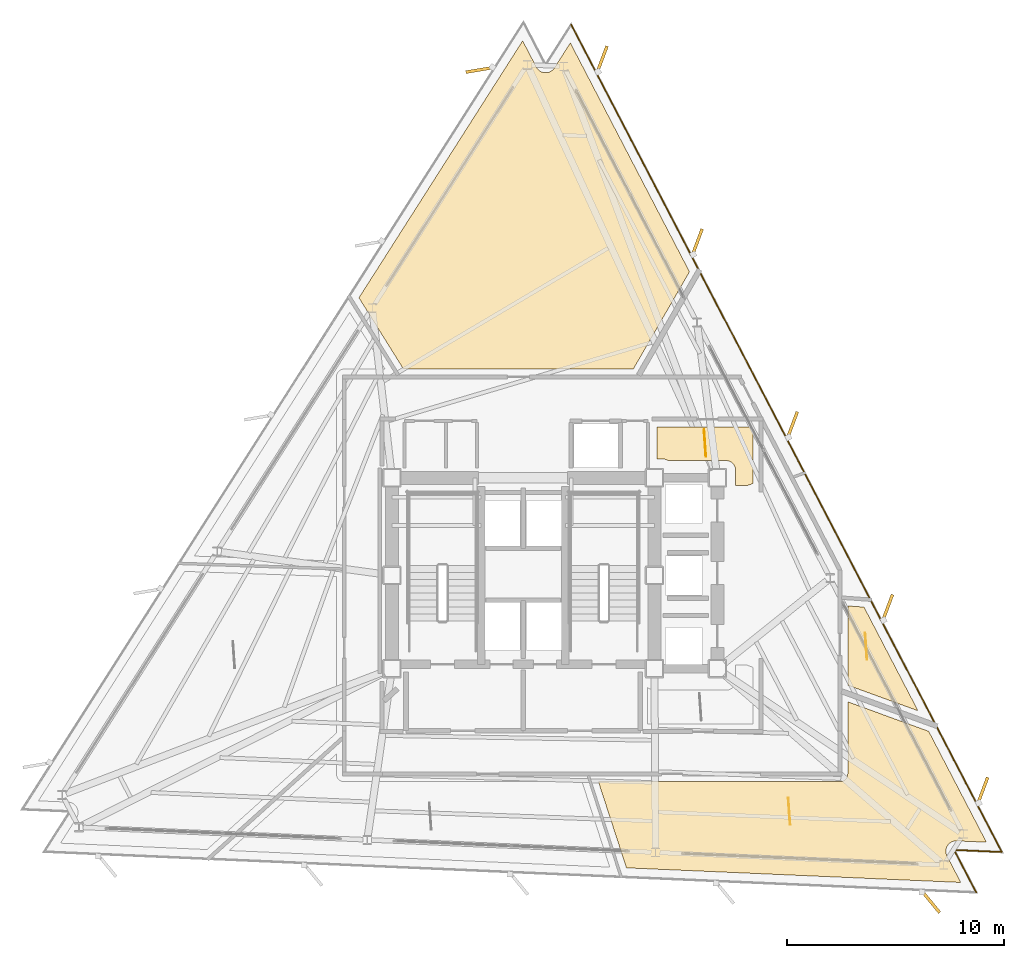
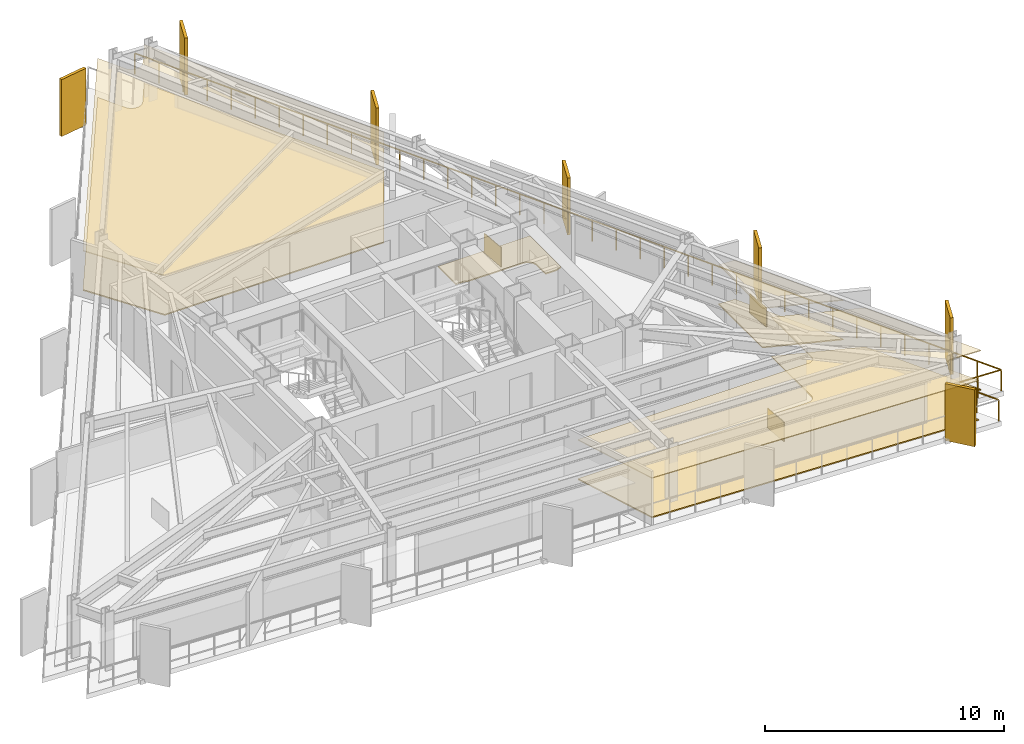
# One storey, part 12 of 12: 10 coverings, 7 shading devices, 1 railing.
"""IFC4 building model written with IfcOpenShell, lengths in metres."""

import ifcopenshell
import ifcopenshell.guid

model = None  # the IFC model being written
_history = None  # IfcOwnerHistory: only IFC2X3 demands one
_inside = {}  # id of a spatial element -> (the spatial element, [elements in it])
_under = {}  # id of a project, library or spatial element -> (it, [spatial elements below it])
_declared = {}  # id of a project -> (the project, [libraries it declares])
_typed = {}  # id of a type object -> (the type object, [elements of that type])
_made_of = {}  # id of a material, layer set ... -> (it, [elements and type objects made of it])


def new_model(schema):
    """Start an empty IFC model of exactly this schema.

    Asked for "IFC4X3", IfcOpenShell would pick the latest addendum, in which some entities
    have other attributes; the version numbers below select the first issue.
    IFC2X3 requires an IfcOwnerHistory on every rooted entity: one is made here for all.
    """
    global model, _history
    if schema == "IFC4X3":
        model = ifcopenshell.file(schema_version=(4, 3, 0, 0))
    else:
        model = ifcopenshell.file(schema=schema)
    _inside.clear()
    _under.clear()
    _declared.clear()
    _typed.clear()
    _made_of.clear()
    _history = None
    if model.schema == "IFC2X3":
        org = make("IfcOrganization", Name="unknown")
        user = make(
            "IfcPersonAndOrganization",
            ThePerson=make("IfcPerson", FamilyName="unknown"),
            TheOrganization=org,
        )
        app = make(
            "IfcApplication",
            ApplicationDeveloper=org,
            Version="unknown",
            ApplicationFullName="unknown",
            ApplicationIdentifier="unknown",
        )
        _history = make(
            "IfcOwnerHistory",
            OwningUser=user,
            OwningApplication=app,
            ChangeAction="ADDED",
            CreationDate=0,
        )
    return model


def make(cls, **values):
    """One entity of the class cls with the attributes given. An attribute that is None is left unset."""
    return model.create_entity(
        cls, **{name: value for name, value in values.items() if value is not None}
    )


def rooted(cls, **values):
    """An entity with a GlobalId (a new one), such as an element, a storey or a relation."""
    return make(cls, GlobalId=ifcopenshell.guid.new(), OwnerHistory=_history, **values)


def si_unit(unit_type, name, prefix=None):
    """IfcSIUnit, for example si_unit("LENGTHUNIT", "METRE", prefix="MILLI")."""
    return make("IfcSIUnit", UnitType=unit_type, Prefix=prefix, Name=name)


def assignment(units):
    """IfcUnitAssignment: the units of a project."""
    return None if units is None else make("IfcUnitAssignment", Units=units)


def point(xyz):
    """IfcCartesianPoint."""
    return None if xyz is None else make("IfcCartesianPoint", Coordinates=xyz)


def direction(xyz):
    """IfcDirection."""
    return None if xyz is None else make("IfcDirection", DirectionRatios=xyz)


def frame(location, z_axis=None, x_axis=None):
    """IfcAxis2Placement3D, a coordinate frame: its origin and axes. An axis left out is left unset."""
    return make(
        "IfcAxis2Placement3D",
        Location=point(location),
        Axis=direction(z_axis),
        RefDirection=direction(x_axis),
    )


def frame_2d(location, x_axis=None):
    """IfcAxis2Placement2D, a coordinate frame in the plane: its origin and x axis."""
    return make(
        "IfcAxis2Placement2D", Location=point(location), RefDirection=direction(x_axis)
    )


def origin():
    """The frame at (0, 0, 0) with its axes left unset."""
    return frame((0.0, 0.0, 0.0))


def origin_2d():
    """The frame at (0, 0) in the plane with its x axis left unset."""
    return frame_2d((0.0, 0.0))


def place(relative_to, where):
    """IfcLocalPlacement: puts the frame where relative to a parent placement (None: the world)."""
    return make(
        "IfcLocalPlacement", PlacementRelTo=relative_to, RelativePlacement=where
    )


def context(
    kind, dimensions, precision=None, world=None, true_north=None, identifier=None
):
    """IfcGeometricRepresentationContext, for example the 3D "Model" context."""
    return make(
        "IfcGeometricRepresentationContext",
        ContextIdentifier=identifier,
        ContextType=kind,
        CoordinateSpaceDimension=dimensions,
        Precision=precision,
        WorldCoordinateSystem=world,
        TrueNorth=true_north,
    )


def subcontext(parent, identifier, kind, view, scale=None):
    """IfcGeometricRepresentationSubContext, for example "Body" below "Model"."""
    return make(
        "IfcGeometricRepresentationSubContext",
        ContextIdentifier=identifier,
        ContextType=kind,
        ParentContext=parent,
        TargetScale=scale,
        TargetView=view,
    )


def project(units=None, contexts=None):
    """IfcProject with its units and contexts."""
    return rooted(
        "IfcProject",
        Name="project",
        RepresentationContexts=contexts,
        UnitsInContext=assignment(units),
    )


def spatial(cls, under=None, at=None, **own):
    """A site, building, storey or space (cls), placed at a placement, below another one or the project."""
    s = rooted(cls, ObjectPlacement=at, **own)
    if under is not None:
        _under.setdefault(under.id(), (under, []))[1].append(s)
    return s


def polyline(points):
    """IfcPolyline through the points."""
    return make("IfcPolyline", Points=[point(p) for p in points])


def profile(cls, at=None, kind="AREA", **sizes):
    """A parametric profile (cls). Its sizes go by their IFC names, for example OverallWidth=200.0."""
    return make(cls, ProfileType=kind, Position=at, **sizes)


def rectangle(**sizes):
    """IfcRectangleProfileDef."""
    return profile("IfcRectangleProfileDef", **sizes)


def outline(outer, holes=None, kind="AREA"):
    """IfcArbitraryClosedProfileDef: a profile drawn as a closed curve; with holes, ...WithVoids."""
    if holes is None:
        return make("IfcArbitraryClosedProfileDef", ProfileType=kind, OuterCurve=outer)
    return make(
        "IfcArbitraryProfileDefWithVoids",
        ProfileType=kind,
        OuterCurve=outer,
        InnerCurves=holes,
    )


def extrude(swept, where, along, depth):
    """IfcExtrudedAreaSolid: the profile swept, set in the frame where, extruded along a direction by depth."""
    return make(
        "IfcExtrudedAreaSolid",
        SweptArea=swept,
        Position=where,
        ExtrudedDirection=direction(along),
        Depth=depth,
    )


def shape(context_of_items, identifier, shape_type, items):
    """IfcShapeRepresentation: the items that make up one representation, for example the "Body"."""
    return make(
        "IfcShapeRepresentation",
        ContextOfItems=context_of_items,
        RepresentationIdentifier=identifier,
        RepresentationType=shape_type,
        Items=items,
    )


def material(Name=None, Category=None):
    """IfcMaterial."""
    return make("IfcMaterial", Name=Name, Category=Category)


def layer(
    of_material, thickness, ventilated=None, Name=None, Category=None, Priority=None
):
    """IfcMaterialLayer: one layer of a wall or slab, of a material (None: an air gap)."""
    return make(
        "IfcMaterialLayer",
        Material=of_material,
        LayerThickness=thickness,
        IsVentilated=ventilated,
        Name=Name,
        Category=Category,
        Priority=Priority,
    )


def layer_set(layers, Name=None):
    """IfcMaterialLayerSet."""
    return make("IfcMaterialLayerSet", MaterialLayers=layers, LayerSetName=Name)


def made_of(thing, what):
    """Note that an element or type object is made of a material, layer set ...; save() writes the relation."""
    if what is not None:
        _made_of.setdefault(what.id(), (what, []))[1].append(thing)
    return thing


def type_object(cls, material=None, **own):
    """A type object (cls), such as IfcWallType, which elements share."""
    return made_of(rooted(cls, **own), material)


def element(
    cls,
    number,
    at=None,
    inside=None,
    cuts=None,
    type_object=None,
    material=None,
    context=None,
    identifier="Body",
    shape_type=None,
    held_by="IfcProductDefinitionShape",
    body=None,
    shapes=None,
    **own,
):
    """One element of the class cls, such as IfcWall. Its Tag is "e" and its number.

    at: its placement. inside: the storey or other place that contains it. cuts: it is an
    opening in that element (IfcRelVoidsElement). A single representation is given by context,
    identifier, shape_type and body (its items); several are given by shapes. held_by: the class
    of the entity that holds the representations. save() writes the other relations.
    """
    e = rooted(cls, Tag="e%d" % number, ObjectPlacement=at, **own)
    if body is not None:
        shapes = [shape(context, identifier, shape_type, body)]
    if shapes is not None:
        e.Representation = make(held_by, Representations=shapes)
    if inside is not None:
        _inside.setdefault(inside.id(), (inside, []))[1].append(e)
    if cuts is not None:
        rooted(
            "IfcRelVoidsElement", RelatingBuildingElement=cuts, RelatedOpeningElement=e
        )
    if type_object is not None:
        _typed.setdefault(type_object.id(), (type_object, []))[1].append(e)
    return made_of(e, material)


def aggregate(whole, parts):
    """IfcRelAggregates: a whole, such as a stair, and the parts it consists of."""
    return rooted("IfcRelAggregates", RelatingObject=whole, RelatedObjects=parts)


def save(model, path):
    """Write the relations noted so far, then the file.

    IfcRelAggregates (storeys below a building ...), IfcRelContainedInSpatialStructure (elements
    in a storey), IfcRelDefinesByType, IfcRelAssociatesMaterial and IfcRelDeclares: one each for
    every whole, place, type object, material and project.
    """
    for whole, parts in _under.values():
        aggregate(whole, parts)
    for where, things in _inside.values():
        rooted(
            "IfcRelContainedInSpatialStructure",
            RelatedElements=things,
            RelatingStructure=where,
        )
    for kind, things in _typed.values():
        rooted("IfcRelDefinesByType", RelatedObjects=things, RelatingType=kind)
    for what, things in _made_of.values():
        rooted("IfcRelAssociatesMaterial", RelatedObjects=things, RelatingMaterial=what)
    for by, libraries in _declared.values():
        rooted("IfcRelDeclares", RelatingContext=by, RelatedDefinitions=libraries)
    model.write(path)


model = new_model("IFC4")

# Units and contexts
model_context = context("Model", 3, precision=1e-05, world=origin(), true_north=direction((0.0, 1.0)))
body_context = subcontext(model_context, "Body", "Model", "MODEL_VIEW")
ifc_project = project(units=[si_unit("LENGTHUNIT", "METRE"), si_unit("AREAUNIT", "SQUARE_METRE"), si_unit("VOLUMEUNIT", "CUBIC_METRE"), si_unit("PLANEANGLEUNIT", "RADIAN"), si_unit("MASSUNIT", "GRAM", prefix="KILO")], contexts=[model_context])

# Site, building, storey
site_placement = place(None, origin())
site = spatial("IfcSite", under=ifc_project, at=site_placement, CompositionType="ELEMENT")
building_placement = place(site_placement, origin())
building = spatial("IfcBuilding", under=site, at=building_placement, Name="Rocaltana Carrier Exchange", CompositionType="ELEMENT")
storey_placement = place(building_placement, frame((0.0, 0.0, 135.0400390625)))
storey = spatial("IfcBuildingStorey", under=building, at=storey_placement, Name="L42", CompositionType="ELEMENT", Elevation=135.0400390625)

# Coverings
ifc_material_1 = material(Name="Calcium Sulphate & Aluminium Pedestal", Category="aluminium")
ifc_layer_1 = layer(ifc_material_1, 0.06005859375)
ifc_layer_set_1 = layer_set([ifc_layer_1], Name="Calcium Sulphate & Aluminium Pedestal")
covering_type_1 = type_object("IfcCoveringType", Name="Anti-Static Raised Exchange Access Floor 60", PredefinedType="FLOORING", material=ifc_layer_set_1)
covering_1_placement = place(storey_placement, origin())
element("IfcCovering", 1, at=covering_1_placement, inside=storey, type_object=covering_type_1, Name="L42 Network Engineering Studio Finish Floor", PredefinedType="FLOORING", context=body_context, shape_type="SweptSolid", body=[
    extrude(outline(polyline([(21.352294921875, -12.298828125), (19.985107421875, -12.239013671875), (19.97119140625, -12.23876953125), (19.951171875, -12.239013671875), (19.92333984375, -12.240478515625), (19.903564453125, -12.24267578125), (19.8759765625, -12.246826171875), (19.8564453125, -12.2509765625), (19.829345703125, -12.258056640625), (19.810302734375, -12.263916015625), (19.7841796875, -12.273681640625), (19.765869140625, -12.281494140625), (19.740966796875, -12.2939453125), (19.723388671875, -12.303466796875), (19.69970703125, -12.318115234375), (19.683349609375, -12.32958984375), (19.6611328125, -12.3466796875), (19.64599609375, -12.359619140625), (19.62548828125, -12.378662109375), (19.61181640625, -12.392822265625), (19.593505859375, -12.4140625), (19.5810546875, -12.4296875), (19.56494140625, -12.452392578125), (19.55419921875, -12.46923828125), (19.540283203125, -12.493408203125), (19.531494140625, -12.51123046875), (19.52001953125, -12.536865234375), (19.512939453125, -12.555419921875), (19.504150390625, -12.581787109375), (19.498779296875, -12.601318359375), (19.492919921875, -12.62841796875), (19.489501953125, -12.648193359375), (19.486328125, -12.67578125), (19.48486328125, -12.69580078125), (19.484375, -12.7236328125), (19.485107421875, -12.743408203125), (19.4873046875, -12.771240234375), (19.489990234375, -12.791015625), (19.494873046875, -12.818603515625), (19.49951171875, -12.837890625), (19.507080078125, -12.86474609375), (19.513671875, -12.8837890625), (19.52392578125, -12.90966796875), (19.5322265625, -12.927734375), (19.538330078125, -12.940185546875), (20.17041015625, -14.154296875), (4.7587890625, -13.481201171875), (3.468505859375, -9.510009765625), (14.60009765625, -9.510009765625), (14.61376953125, -9.509765625), (14.62158203125, -9.50927734375), (14.64892578125, -9.506591796875), (14.65673828125, -9.50537109375), (14.68359375, -9.5), (14.69140625, -9.498291015625), (14.717529296875, -9.490234375), (14.724853515625, -9.487548828125), (14.750244140625, -9.47705078125), (14.75732421875, -9.4736328125), (14.78173828125, -9.460693359375), (14.788330078125, -9.456787109375), (14.811279296875, -9.44140625), (14.8173828125, -9.436767578125), (14.8388671875, -9.419189453125), (14.844482421875, -9.4140625), (14.864013671875, -9.39453125), (14.869384765625, -9.388916015625), (14.88671875, -9.367431640625), (14.891357421875, -9.361083984375), (14.90673828125, -9.33837890625), (14.91064453125, -9.331787109375), (14.923583984375, -9.307373046875), (14.927001953125, -9.30029296875), (14.9375, -9.27490234375), (14.940185546875, -9.267578125), (14.9482421875, -9.2412109375), (14.9501953125, -9.233642578125), (14.955322265625, -9.206787109375), (14.95654296875, -9.198974609375), (14.959228515625, -9.171630859375), (14.959716796875, -9.163818359375), (14.9599609375, -9.14990234375), (14.9599609375, -5.828125), (18.69091796875, -7.18603515625), (21.352294921875, -12.298828125)])), origin(), (0.0, 0.0, 1.0), 0.06005859375),
])
covering_2_placement = place(storey_placement, origin())
element("IfcCovering", 2, at=covering_2_placement, inside=storey, type_object=covering_type_1, Name="L42 Protocol Calibration Laboratory Finish Floor", PredefinedType="FLOORING", context=body_context, shape_type="SweptSolid", body=[
    extrude(outline(polyline([(18.19873046875, -6.24072265625), (14.9599609375, -5.06201171875), (14.9599609375, -1.406982421875), (15.709716796875, -1.45947265625), (18.19873046875, -6.24072265625)])), origin(), (0.0, 0.0, 1.0), 0.06005859375),
])
covering_3_placement = place(storey_placement, origin())
element("IfcCovering", 3, at=covering_3_placement, inside=storey, type_object=covering_type_1, Name="L42 Network Engineering Studio Finish Floor", PredefinedType="FLOORING", context=body_context, shape_type="SweptSolid", body=[
    extrude(outline(polyline([(6.159912109375, 6.840087890625), (10.60009765625, 6.840087890625), (10.60009765625, 4.2412109375), (10.322021484375, 4.139892578125), (9.7900390625, 4.139892578125), (9.7900390625, 4.85009765625), (9.789794921875, 4.86376953125), (9.788818359375, 4.87939453125), (9.7861328125, 4.90673828125), (9.783935546875, 4.92236328125), (9.778564453125, 4.94921875), (9.774658203125, 4.964599609375), (9.7666015625, 4.99072265625), (9.761474609375, 5.005615234375), (9.7509765625, 5.031005859375), (9.744140625, 5.045166015625), (9.731201171875, 5.0693359375), (9.72314453125, 5.082763671875), (9.7080078125, 5.105712890625), (9.698486328125, 5.118408203125), (9.68115234375, 5.139404296875), (9.670654296875, 5.151123046875), (9.651123046875, 5.170654296875), (9.639404296875, 5.18115234375), (9.618408203125, 5.198486328125), (9.605712890625, 5.2080078125), (9.582763671875, 5.22314453125), (9.5693359375, 5.231201171875), (9.545166015625, 5.244140625), (9.531005859375, 5.2509765625), (9.505615234375, 5.261474609375), (9.49072265625, 5.2666015625), (9.464599609375, 5.274658203125), (9.44921875, 5.278564453125), (9.42236328125, 5.283935546875), (9.40673828125, 5.2861328125), (9.37939453125, 5.288818359375), (9.36376953125, 5.289794921875), (9.35009765625, 5.2900390625), (6.6875, 5.2900390625), (6.682861328125, 5.293212890625), (6.66943359375, 5.30126953125), (6.64501953125, 5.314208984375), (6.630859375, 5.32080078125), (6.605712890625, 5.33154296875), (6.5908203125, 5.336669921875), (6.564453125, 5.3447265625), (6.54931640625, 5.348388671875), (6.522216796875, 5.35400390625), (6.5068359375, 5.356201171875), (6.4794921875, 5.35888671875), (6.463623046875, 5.359619140625), (6.449951171875, 5.360107421875), (6.159912109375, 5.360107421875), (6.159912109375, 6.840087890625)])), origin(), (0.0, 0.0, 1.0), 0.06005859375),
])
covering_4_placement = place(storey_placement, origin())
element("IfcCovering", 4, at=covering_4_placement, inside=storey, type_object=covering_type_1, Name="L42 Photonic Integration Workshop Finish Floor", PredefinedType="FLOORING", context=body_context, shape_type="SweptSolid", body=[
    extrude(outline(polyline([(-0.025146484375, 24.64111328125), (0.606689453125, 23.42724609375), (0.613525390625, 23.4150390625), (0.62353515625, 23.397705078125), (0.638916015625, 23.37451171875), (0.650634765625, 23.3583984375), (0.668212890625, 23.336669921875), (0.681396484375, 23.32177734375), (0.700927734375, 23.3017578125), (0.7158203125, 23.288330078125), (0.7373046875, 23.2705078125), (0.753173828125, 23.258544921875), (0.7763671875, 23.242919921875), (0.79345703125, 23.232666015625), (0.818115234375, 23.219482421875), (0.8359375, 23.2109375), (0.86181640625, 23.2001953125), (0.880615234375, 23.193603515625), (0.9072265625, 23.185546875), (0.9267578125, 23.180908203125), (0.9541015625, 23.17529296875), (0.973876953125, 23.172607421875), (1.001708984375, 23.169921875), (1.021484375, 23.169189453125), (1.04931640625, 23.169189453125), (1.0693359375, 23.17041015625), (1.09716796875, 23.17333984375), (1.11669921875, 23.176513671875), (1.14404296875, 23.18212890625), (1.163330078125, 23.18701171875), (1.18994140625, 23.195556640625), (1.208740234375, 23.202392578125), (1.234375, 23.21337890625), (1.252197265625, 23.22216796875), (1.276611328125, 23.235595703125), (1.293701171875, 23.24609375), (1.316650390625, 23.26220703125), (1.33251953125, 23.2744140625), (1.353759765625, 23.292236328125), (1.368408203125, 23.305908203125), (1.3876953125, 23.326171875), (1.400634765625, 23.341064453125), (1.41796875, 23.363037109375), (1.429443359375, 23.37939453125), (1.437255859375, 23.390869140625), (2.172607421875, 24.545166015625), (7.66455078125, 13.995361328125), (5.074951171875, 9.510009765625), (-5.51806640625, 9.510009765625), (-7.5712890625, 12.796142578125), (-0.025146484375, 24.64111328125)])), origin(), (0.0, 0.0, 1.0), 0.06005859375),
])
ifc_material_2 = material(Name="Mineral Fibre & Powder-Coated Aluminium", Category="aluminium")
ifc_layer_2 = layer(ifc_material_2, 0.044921875)
ifc_layer_set_2 = layer_set([ifc_layer_2], Name="Mineral Fibre & Powder-Coated Aluminium")
covering_type_2 = type_object("IfcCoveringType", Name="Micro-Perforated Acoustic Ceiling 45", PredefinedType="CEILING", material=ifc_layer_set_2)
covering_5_placement = place(storey_placement, frame((0.0, 0.0, 2.012939453125)))
element("IfcCovering", 5, at=covering_5_placement, inside=storey, type_object=covering_type_2, Name="L42 Network Engineering Studio Acoustic Ceiling", PredefinedType="CEILING", context=body_context, shape_type="SweptSolid", body=[
    extrude(outline(polyline([(21.352294921875, -12.298828125), (19.985107421875, -12.239013671875), (19.97119140625, -12.23876953125), (19.951171875, -12.239013671875), (19.92333984375, -12.240478515625), (19.903564453125, -12.24267578125), (19.8759765625, -12.246826171875), (19.8564453125, -12.2509765625), (19.829345703125, -12.258056640625), (19.810302734375, -12.263916015625), (19.7841796875, -12.273681640625), (19.765869140625, -12.281494140625), (19.740966796875, -12.2939453125), (19.723388671875, -12.303466796875), (19.69970703125, -12.318115234375), (19.683349609375, -12.32958984375), (19.6611328125, -12.3466796875), (19.64599609375, -12.359619140625), (19.62548828125, -12.378662109375), (19.61181640625, -12.392822265625), (19.593505859375, -12.4140625), (19.5810546875, -12.4296875), (19.56494140625, -12.452392578125), (19.55419921875, -12.46923828125), (19.540283203125, -12.493408203125), (19.531494140625, -12.51123046875), (19.52001953125, -12.536865234375), (19.512939453125, -12.555419921875), (19.504150390625, -12.581787109375), (19.498779296875, -12.601318359375), (19.492919921875, -12.62841796875), (19.489501953125, -12.648193359375), (19.486328125, -12.67578125), (19.48486328125, -12.69580078125), (19.484375, -12.7236328125), (19.485107421875, -12.743408203125), (19.4873046875, -12.771240234375), (19.489990234375, -12.791015625), (19.494873046875, -12.818603515625), (19.49951171875, -12.837890625), (19.507080078125, -12.86474609375), (19.513671875, -12.8837890625), (19.52392578125, -12.90966796875), (19.5322265625, -12.927734375), (19.538330078125, -12.940185546875), (20.17041015625, -14.154296875), (4.7587890625, -13.481201171875), (3.468505859375, -9.510009765625), (14.60009765625, -9.510009765625), (14.61376953125, -9.509765625), (14.62158203125, -9.50927734375), (14.64892578125, -9.506591796875), (14.65673828125, -9.50537109375), (14.68359375, -9.5), (14.69140625, -9.498291015625), (14.717529296875, -9.490234375), (14.724853515625, -9.487548828125), (14.750244140625, -9.47705078125), (14.75732421875, -9.4736328125), (14.78173828125, -9.460693359375), (14.788330078125, -9.456787109375), (14.811279296875, -9.44140625), (14.8173828125, -9.436767578125), (14.8388671875, -9.419189453125), (14.844482421875, -9.4140625), (14.864013671875, -9.39453125), (14.869384765625, -9.388916015625), (14.88671875, -9.367431640625), (14.891357421875, -9.361083984375), (14.90673828125, -9.33837890625), (14.91064453125, -9.331787109375), (14.923583984375, -9.307373046875), (14.927001953125, -9.30029296875), (14.9375, -9.27490234375), (14.940185546875, -9.267578125), (14.9482421875, -9.2412109375), (14.9501953125, -9.233642578125), (14.955322265625, -9.206787109375), (14.95654296875, -9.198974609375), (14.959228515625, -9.171630859375), (14.959716796875, -9.163818359375), (14.9599609375, -9.14990234375), (14.9599609375, -5.828125), (18.69091796875, -7.18603515625), (21.352294921875, -12.298828125)])), origin(), (0.0, 0.0, 1.0), 0.044921875),
])
covering_6_placement = place(storey_placement, frame((0.0, 0.0, 2.012939453125)))
element("IfcCovering", 6, at=covering_6_placement, inside=storey, type_object=covering_type_2, Name="L42 Protocol Calibration Laboratory Acoustic Ceiling", PredefinedType="CEILING", context=body_context, shape_type="SweptSolid", body=[
    extrude(outline(polyline([(18.19873046875, -6.24072265625), (14.9599609375, -5.06201171875), (14.9599609375, -1.406982421875), (15.709716796875, -1.45947265625), (18.19873046875, -6.24072265625)])), origin(), (0.0, 0.0, 1.0), 0.044921875),
])
covering_7_placement = place(storey_placement, frame((0.0, 0.0, 2.012939453125)))
element("IfcCovering", 7, at=covering_7_placement, inside=storey, type_object=covering_type_2, Name="L42 Photonic Integration Workshop Acoustic Ceiling", PredefinedType="CEILING", context=body_context, shape_type="SweptSolid", body=[
    extrude(outline(polyline([(-0.025146484375, 24.64111328125), (0.606689453125, 23.42724609375), (0.613525390625, 23.4150390625), (0.62353515625, 23.397705078125), (0.638916015625, 23.37451171875), (0.650634765625, 23.3583984375), (0.668212890625, 23.336669921875), (0.681396484375, 23.32177734375), (0.700927734375, 23.3017578125), (0.7158203125, 23.288330078125), (0.7373046875, 23.2705078125), (0.753173828125, 23.258544921875), (0.7763671875, 23.242919921875), (0.79345703125, 23.232666015625), (0.818115234375, 23.219482421875), (0.8359375, 23.2109375), (0.86181640625, 23.2001953125), (0.880615234375, 23.193603515625), (0.9072265625, 23.185546875), (0.9267578125, 23.180908203125), (0.9541015625, 23.17529296875), (0.973876953125, 23.172607421875), (1.001708984375, 23.169921875), (1.021484375, 23.169189453125), (1.04931640625, 23.169189453125), (1.0693359375, 23.17041015625), (1.09716796875, 23.17333984375), (1.11669921875, 23.176513671875), (1.14404296875, 23.18212890625), (1.163330078125, 23.18701171875), (1.18994140625, 23.195556640625), (1.208740234375, 23.202392578125), (1.234375, 23.21337890625), (1.252197265625, 23.22216796875), (1.276611328125, 23.235595703125), (1.293701171875, 23.24609375), (1.316650390625, 23.26220703125), (1.33251953125, 23.2744140625), (1.353759765625, 23.292236328125), (1.368408203125, 23.305908203125), (1.3876953125, 23.326171875), (1.400634765625, 23.341064453125), (1.41796875, 23.363037109375), (1.429443359375, 23.37939453125), (1.437255859375, 23.390869140625), (2.172607421875, 24.545166015625), (7.66455078125, 13.995361328125), (5.074951171875, 9.510009765625), (-5.51806640625, 9.510009765625), (-7.5712890625, 12.796142578125), (-0.025146484375, 24.64111328125)])), origin(), (0.0, 0.0, 1.0), 0.044921875),
])
ifc_material_3 = material(Name="Honed Piedra Muneca Sandstone", Category="masonry")
ifc_layer_3 = layer(ifc_material_3, 0.034912109375)
ifc_layer_set_3 = layer_set([ifc_layer_3], Name="Honed Piedra Muneca Sandstone")
covering_type_3 = type_object("IfcCoveringType", Name="Stone Facade Cladding 35", PredefinedType="CLADDING", material=ifc_layer_set_3)
for number, where, z_axis, x_axis, name in (
    (8, (12.261474609375, -10.87451171875, 0.0), (0.0, 0.0, 1.0), (-0.069756473744, 0.99756405026, 0.0), "L42 Stone Facade Cladding Panel 3"),
    (9, (15.8037109375, -3.2607421875, 0.0), (0.0, 0.0, 1.0), (-0.069756473744, 0.99756405026, 0.0), "L42 Stone Facade Cladding Panel 5"),
    (10, (8.3798828125, 6.10009765625, 0.0), (0.0, 0.0, 1.0), (-0.069756473744, 0.99756405026, 0.0), "L42 Stone Facade Cladding Panel 6"),
):
    element("IfcCovering", number, at=place(storey_placement, frame(where, z_axis=z_axis, x_axis=x_axis)), inside=storey, type_object=covering_type_3, Name=name, PredefinedType="CLADDING", context=body_context, shape_type="SweptSolid", body=[
        extrude(rectangle(XDim=1.25, YDim=0.034912109375, at=origin_2d()), origin(), (0.0, 0.0, 1.0), 1.050048828125),
    ])

# Shading devices
ifc_material_4 = material(Name="Honed Bogota Sandstone & Concrete C45/55", Category="masonry")
ifc_layer_4 = layer(ifc_material_4, 0.139892578125)
ifc_layer_set_4 = layer_set([ifc_layer_4], Name="Honed Bogota Sandstone & Concrete C45/55")
shading_device_type = type_object("IfcShadingDeviceType", Name="Vertical Sandstone Shading Fin 1320x140", PredefinedType="USERDEFINED", material=ifc_layer_set_4)
for number, where, z_axis, x_axis, name in (
    (11, (21.1787109375, -9.927490234375, -0.1201171875), (0.0, 0.0, 1.0), (0.350207381259, 0.936672189248, 0.0), "L42 Sandstone Vertical Fin F1-01"),
    (12, (16.7919921875, -1.5009765625, -0.1201171875), (0.0, 0.0, 1.0), (0.350207381259, 0.936672189248, 0.0), "L42 Sandstone Vertical Fin F1-02"),
    (13, (12.405517578125, 6.925537109375, -0.1201171875), (0.0, 0.0, 1.0), (0.350207381259, 0.936672189248, 0.0), "L42 Sandstone Vertical Fin F1-03"),
    (14, (8.018798828125, 15.352294921875, -0.1201171875), (0.0, 0.0, 1.0), (0.350207381259, 0.936672189248, 0.0), "L42 Sandstone Vertical Fin F1-04"),
    (15, (3.63232421875, 23.77880859375, -0.1201171875), (0.0, 0.0, 1.0), (0.350207381259, 0.936672189248, 0.0), "L42 Sandstone Vertical Fin F1-05"),
    (16, (-1.99169921875, 23.30517578125, -0.1201171875), (0.0, 0.0, 1.0), (-0.986285601537, -0.165047605861, 0.0), "L42 Sandstone Vertical Fin F2-01"),
    (17, (18.77685546875, -15.034912109375, -0.1201171875), (0.0, 0.0, 1.0), (0.636078220278, -0.771624583388, 0.0), "L42 Sandstone Vertical Fin F3-05"),
):
    element("IfcShadingDevice", number, at=place(storey_placement, frame(where, z_axis=z_axis, x_axis=x_axis)), inside=storey, type_object=shading_device_type, Name=name, ObjectType="FIN", PredefinedType="USERDEFINED", context=body_context, shape_type="SweptSolid", body=[
        extrude(rectangle(XDim=1.320068359375, YDim=0.139892578125, at=origin_2d()), origin(), (0.0, 0.0, 1.0), 2.907958984375),
    ])

# Railing
ifc_material_5 = material(Name="Powder-Coated Aluminium 6063-T6", Category="aluminium")
ifc_layer_5 = layer(ifc_material_5, 0.06005859375)
ifc_layer_set_5 = layer_set([ifc_layer_5], Name="Powder-Coated Aluminium 6063-T6")
railing_type = type_object("IfcRailingType", Name="Wind-Floor & Terrace Perimeter Guardrail 1100", PredefinedType="GUARDRAIL", material=ifc_layer_set_5)
railing_placement = place(storey_placement, frame((2.20947265625, 25.384521484375, 0.0)))
element("IfcRailing", 18, at=railing_placement, inside=storey, type_object=railing_type, Name="L42 Perimeter Balcony Guardrail 3", PredefinedType="GUARDRAIL", context=body_context, shape_type="SweptSolid", body=[
    extrude(rectangle(XDim=0.048095703125, YDim=0.048095703125, at=origin_2d()), frame((0.0, 0.0, 1.076171875), z_axis=(0.461743909672, -0.887013281682, 0.0), x_axis=(0.887013281682, 0.461743909672, 0.0)), (0.0, 0.0, 1.0), 42.991943359375),
    extrude(rectangle(XDim=0.048095703125, YDim=0.048095703125, at=origin_2d()), frame((19.851318359375, -38.134521484375, 1.076171875), z_axis=(-0.999048394753, 0.043615420922, 0.0), x_axis=(-0.043615420922, -0.999048394753, 0.0)), (0.0, 0.0, 1.0), 2.199951171875),
    extrude(rectangle(XDim=0.048095703125, YDim=0.048095703125, at=origin_2d()), frame((17.653564453125, -38.03857421875, 1.076171875), z_axis=(0.461758004933, -0.887005944107, 0.0), x_axis=(0.887005944107, 0.461758004933, 0.0)), (0.0, 0.0, 1.0), 2.199951171875),
    extrude(rectangle(XDim=0.0419921875, YDim=0.0419921875, at=origin_2d()), origin(), (0.0, 0.0, 1.0), 1.052001953125),
    extrude(rectangle(XDim=0.0419921875, YDim=0.0419921875, at=origin_2d()), frame((0.551513671875, -1.059326171875, 0.0)), (0.0, 0.0, 1.0), 1.052001953125),
    extrude(rectangle(XDim=0.0419921875, YDim=0.0419921875, at=origin_2d()), frame((1.102783203125, -2.11865234375, 0.0)), (0.0, 0.0, 1.0), 1.052001953125),
    extrude(rectangle(XDim=0.0419921875, YDim=0.0419921875, at=origin_2d()), frame((1.654296875, -3.177978515625, 0.0)), (0.0, 0.0, 1.0), 1.052001953125),
    extrude(rectangle(XDim=0.0419921875, YDim=0.0419921875, at=origin_2d()), frame((2.205810546875, -4.237060546875, 0.0)), (0.0, 0.0, 1.0), 1.052001953125),
    extrude(rectangle(XDim=0.0419921875, YDim=0.0419921875, at=origin_2d()), frame((2.757080078125, -5.29638671875, 0.0)), (0.0, 0.0, 1.0), 1.052001953125),
    extrude(rectangle(XDim=0.0419921875, YDim=0.0419921875, at=origin_2d()), frame((3.30859375, -6.355712890625, 0.0)), (0.0, 0.0, 1.0), 1.052001953125),
    extrude(rectangle(XDim=0.0419921875, YDim=0.0419921875, at=origin_2d()), frame((3.85986328125, -7.4150390625, 0.0)), (0.0, 0.0, 1.0), 1.052001953125),
    extrude(rectangle(XDim=0.0419921875, YDim=0.0419921875, at=origin_2d()), frame((4.411376953125, -8.474365234375, 0.0)), (0.0, 0.0, 1.0), 1.052001953125),
    extrude(rectangle(XDim=0.0419921875, YDim=0.0419921875, at=origin_2d()), frame((4.962890625, -9.53369140625, 0.0)), (0.0, 0.0, 1.0), 1.052001953125),
    extrude(rectangle(XDim=0.0419921875, YDim=0.0419921875, at=origin_2d()), frame((5.51416015625, -10.593017578125, 0.0)), (0.0, 0.0, 1.0), 1.052001953125),
    extrude(rectangle(XDim=0.0419921875, YDim=0.0419921875, at=origin_2d()), frame((6.065673828125, -11.652099609375, 0.0)), (0.0, 0.0, 1.0), 1.052001953125),
    extrude(rectangle(XDim=0.0419921875, YDim=0.0419921875, at=origin_2d()), frame((6.6171875, -12.71142578125, 0.0)), (0.0, 0.0, 1.0), 1.052001953125),
    extrude(rectangle(XDim=0.0419921875, YDim=0.0419921875, at=origin_2d()), frame((7.16845703125, -13.770751953125, 0.0)), (0.0, 0.0, 1.0), 1.052001953125),
    extrude(rectangle(XDim=0.0419921875, YDim=0.0419921875, at=origin_2d()), frame((7.719970703125, -14.830078125, 0.0)), (0.0, 0.0, 1.0), 1.052001953125),
    extrude(rectangle(XDim=0.0419921875, YDim=0.0419921875, at=origin_2d()), frame((8.271484375, -15.889404296875, 0.0)), (0.0, 0.0, 1.0), 1.052001953125),
    extrude(rectangle(XDim=0.0419921875, YDim=0.0419921875, at=origin_2d()), frame((8.82275390625, -16.94873046875, 0.0)), (0.0, 0.0, 1.0), 1.052001953125),
    extrude(rectangle(XDim=0.0419921875, YDim=0.0419921875, at=origin_2d()), frame((9.374267578125, -18.008056640625, 0.0)), (0.0, 0.0, 1.0), 1.052001953125),
    extrude(rectangle(XDim=0.0419921875, YDim=0.0419921875, at=origin_2d()), frame((9.92578125, -19.0673828125, 0.0)), (0.0, 0.0, 1.0), 1.052001953125),
    extrude(rectangle(XDim=0.0419921875, YDim=0.0419921875, at=origin_2d()), frame((10.47705078125, -20.12646484375, 0.0)), (0.0, 0.0, 1.0), 1.052001953125),
    extrude(rectangle(XDim=0.0419921875, YDim=0.0419921875, at=origin_2d()), frame((11.028564453125, -21.185791015625, 0.0)), (0.0, 0.0, 1.0), 1.052001953125),
    extrude(rectangle(XDim=0.0419921875, YDim=0.0419921875, at=origin_2d()), frame((11.579833984375, -22.2451171875, 0.0)), (0.0, 0.0, 1.0), 1.052001953125),
    extrude(rectangle(XDim=0.0419921875, YDim=0.0419921875, at=origin_2d()), frame((12.13134765625, -23.304443359375, 0.0)), (0.0, 0.0, 1.0), 1.052001953125),
    extrude(rectangle(XDim=0.0419921875, YDim=0.0419921875, at=origin_2d()), frame((12.682861328125, -24.36376953125, 0.0)), (0.0, 0.0, 1.0), 1.052001953125),
    extrude(rectangle(XDim=0.0419921875, YDim=0.0419921875, at=origin_2d()), frame((13.234130859375, -25.423095703125, 0.0)), (0.0, 0.0, 1.0), 1.052001953125),
    extrude(rectangle(XDim=0.0419921875, YDim=0.0419921875, at=origin_2d()), frame((13.78564453125, -26.482421875, 0.0)), (0.0, 0.0, 1.0), 1.052001953125),
    extrude(rectangle(XDim=0.0419921875, YDim=0.0419921875, at=origin_2d()), frame((14.337158203125, -27.54150390625, 0.0)), (0.0, 0.0, 1.0), 1.052001953125),
    extrude(rectangle(XDim=0.0419921875, YDim=0.0419921875, at=origin_2d()), frame((14.888427734375, -28.600830078125, 0.0)), (0.0, 0.0, 1.0), 1.052001953125),
    extrude(rectangle(XDim=0.0419921875, YDim=0.0419921875, at=origin_2d()), frame((15.43994140625, -29.66015625, 0.0)), (0.0, 0.0, 1.0), 1.052001953125),
    extrude(rectangle(XDim=0.0419921875, YDim=0.0419921875, at=origin_2d()), frame((15.991455078125, -30.719482421875, 0.0)), (0.0, 0.0, 1.0), 1.052001953125),
    extrude(rectangle(XDim=0.0419921875, YDim=0.0419921875, at=origin_2d()), frame((16.542724609375, -31.77880859375, 0.0)), (0.0, 0.0, 1.0), 1.052001953125),
    extrude(rectangle(XDim=0.0419921875, YDim=0.0419921875, at=origin_2d()), frame((17.09423828125, -32.838134765625, 0.0)), (0.0, 0.0, 1.0), 1.052001953125),
    extrude(rectangle(XDim=0.0419921875, YDim=0.0419921875, at=origin_2d()), frame((17.6455078125, -33.8974609375, 0.0)), (0.0, 0.0, 1.0), 1.052001953125),
    extrude(rectangle(XDim=0.0419921875, YDim=0.0419921875, at=origin_2d()), frame((18.197021484375, -34.95654296875, 0.0)), (0.0, 0.0, 1.0), 1.052001953125),
    extrude(rectangle(XDim=0.0419921875, YDim=0.0419921875, at=origin_2d()), frame((18.74853515625, -36.015869140625, 0.0)), (0.0, 0.0, 1.0), 1.052001953125),
    extrude(rectangle(XDim=0.0419921875, YDim=0.0419921875, at=origin_2d()), frame((19.2998046875, -37.0751953125, 0.0)), (0.0, 0.0, 1.0), 1.052001953125),
    extrude(rectangle(XDim=0.0419921875, YDim=0.0419921875, at=origin_2d()), frame((19.851318359375, -38.134521484375, 0.0)), (0.0, 0.0, 1.0), 1.052001953125),
    extrude(rectangle(XDim=0.0419921875, YDim=0.0419921875, at=origin_2d()), frame((18.75244140625, -38.08642578125, 0.0)), (0.0, 0.0, 1.0), 1.052001953125),
    extrude(rectangle(XDim=0.0419921875, YDim=0.0419921875, at=origin_2d()), frame((17.653564453125, -38.03857421875, 0.0)), (0.0, 0.0, 1.0), 1.052001953125),
    extrude(rectangle(XDim=0.0419921875, YDim=0.0419921875, at=origin_2d()), frame((18.16162109375, -39.01416015625, 0.0)), (0.0, 0.0, 1.0), 1.052001953125),
    extrude(rectangle(XDim=0.0419921875, YDim=0.0419921875, at=origin_2d()), frame((18.66943359375, -39.989990234375, 0.0)), (0.0, 0.0, 1.0), 1.052001953125),
])

save(model, "model.ifc")
